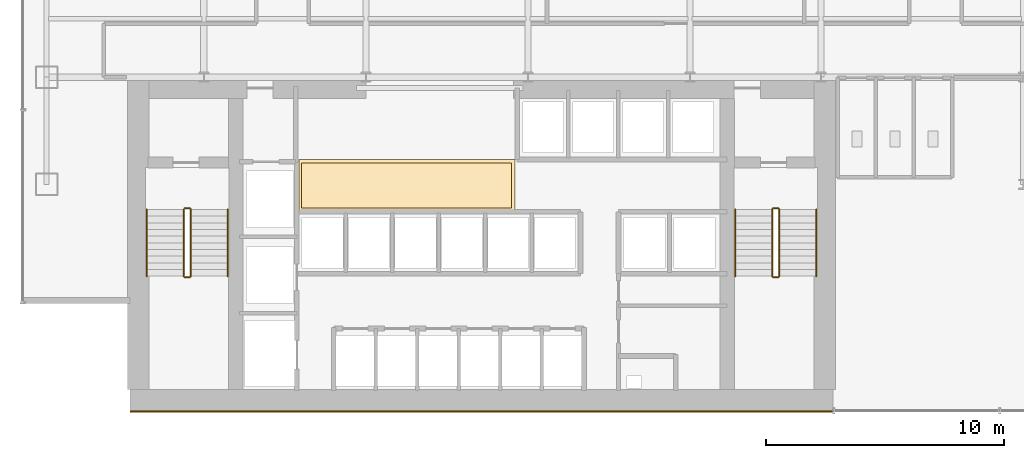
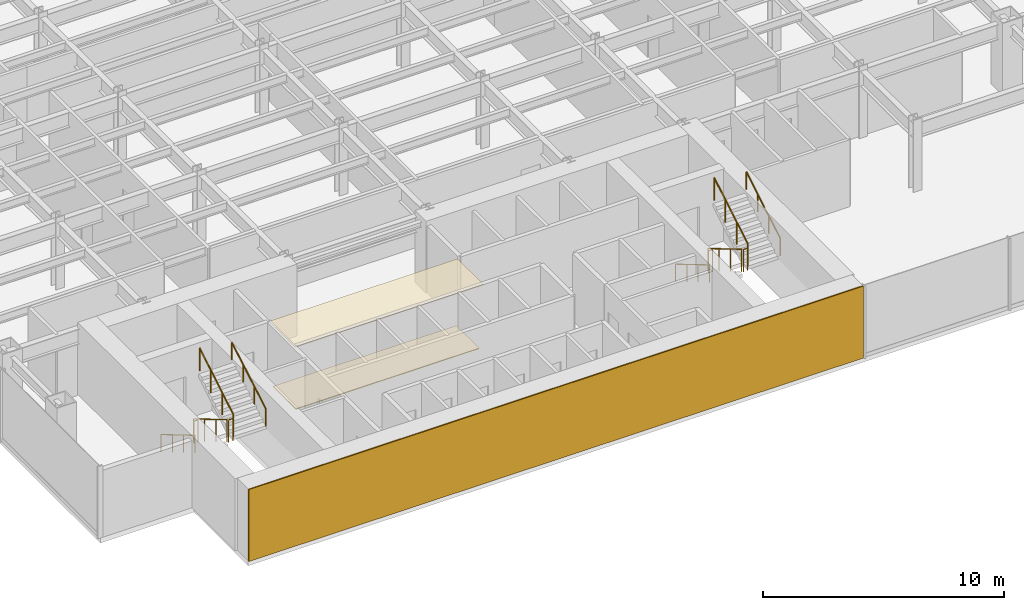
# One storey, part 20 of 22: 12 railings, 3 coverings.
"""IFC4 building model written with IfcOpenShell, lengths in metres."""

from ifc_helpers import new_model, si_unit, derived_unit, direction, frame, origin, origin_2d, place, context, subcontext, project, spatial, polyline, rectangle, circle, outline, extrude, source, transform, mapped, material, layer, layer_set, type_object, element, save


model = new_model("IFC4")

# Units and contexts
model_context = context("Model", 3, precision=1e-05, world=origin(), true_north=direction((0.0, 1.0)))
body_context = subcontext(model_context, "Body", "Model", "MODEL_VIEW")
ifc_project = project(units=[si_unit("LENGTHUNIT", "METRE"), si_unit("AREAUNIT", "SQUARE_METRE"), si_unit("VOLUMEUNIT", "CUBIC_METRE"), si_unit("PLANEANGLEUNIT", "RADIAN"), si_unit("MASSUNIT", "GRAM", prefix="KILO"), derived_unit("THERMALTRANSMITTANCEUNIT", [(si_unit("POWERUNIT", "WATT"), 1), (si_unit("LENGTHUNIT", "METRE"), -2), (si_unit("THERMODYNAMICTEMPERATUREUNIT", "KELVIN"), -1)])], contexts=[model_context])

# Site, building, storey
site_placement = place(None, origin())
site = spatial("IfcSite", under=ifc_project, at=site_placement, CompositionType="ELEMENT")
building_placement = place(site_placement, origin())
building = spatial("IfcBuilding", under=site, at=building_placement, Name="Skarnbrae Concourse Arena and Tower", CompositionType="ELEMENT")
storey_placement = place(building_placement, frame((0.0, 0.0, 72.64990234375)))
storey = spatial("IfcBuildingStorey", under=building, at=storey_placement, Name="L17", CompositionType="ELEMENT", Elevation=72.64990234375)

# Coverings
ifc_material_1 = material(Name="Mineral fibre acoustic ceiling tile", Category="other")
ifc_layer_1 = layer(ifc_material_1, 0.0400390625)
ifc_layer_set_1 = layer_set([ifc_layer_1], Name="Mineral fibre acoustic ceiling tile")
covering_type_1 = type_object("IfcCoveringType", Name="COV-CEIL-ACOUSTIC", PredefinedType="CEILING", material=ifc_layer_set_1)
covering_1_placement = place(storey_placement, frame((0.0, 0.0, 3.239990234375)))
element("IfcCovering", 1, at=covering_1_placement, inside=storey, type_object=covering_type_1, Name="L17 Lift lobby acoustic ceiling", PredefinedType="CEILING", context=body_context, shape_type="SweptSolid", body=[
    extrude(outline(polyline([(11.60009765625, 8.39990234375), (20.64990234375, 8.39990234375), (20.64990234375, 10.550048828125), (11.60009765625, 10.550048828125), (11.60009765625, 8.39990234375)])), origin(), (0.0, 0.0, 1.0), 0.0400390625),
])
ifc_material_2 = material(Name="Polished granite terrazzo flooring", Category="masonry")
ifc_layer_2 = layer(ifc_material_2, 0.0400390625)
ifc_layer_set_2 = layer_set([ifc_layer_2], Name="Polished granite terrazzo flooring")
covering_type_2 = type_object("IfcCoveringType", Name="COV-FLOOR-TERRAZZO", PredefinedType="FLOORING", material=ifc_layer_set_2)
covering_2_placement = place(storey_placement, origin())
element("IfcCovering", 2, at=covering_2_placement, inside=storey, type_object=covering_type_2, Name="L17 Lift lobby terrazzo flooring", PredefinedType="FLOORING", context=body_context, shape_type="SweptSolid", body=[
    extrude(outline(polyline([(11.699951171875, 8.5), (20.5, 8.5), (20.5, 10.39990234375), (11.699951171875, 10.39990234375), (11.699951171875, 8.5)])), origin(), (0.0, 0.0, 1.0), 0.0400390625),
])

# Railings
ifc_material_3 = material(Name="Steel CSA G40.21 350W", Category="steel")
railing_type_1 = type_object("IfcRailingType", Name="RAIL-HANDRAIL-900", PredefinedType="HANDRAIL", material=ifc_material_3)
railing_1_placement = place(storey_placement, frame((5.199951171875, 8.449951171875, 0.166015625)))
element("IfcRailing", 3, at=railing_1_placement, inside=storey, type_object=railing_type_1, Name="L17 ST-1 stair handrail 1", PredefinedType="HANDRAIL", context=body_context, shape_type="SweptSolid", body=[
    extrude(circle(Radius=0.02392578125, at=origin_2d()), frame((0.0, 0.0, 0.8759765625), z_axis=(0.0, -0.860306154799, 0.50977771628), x_axis=(1.0, 0.0, 0.0)), (0.0, 0.0, 1.0), 3.254638671875),
    extrude(circle(Radius=0.02099609375, at=origin_2d()), origin(), (0.0, 0.0, 1.0), 0.851806640625),
    extrude(circle(Radius=0.02099609375, at=origin_2d()), frame((0.0, -0.933349609375, 0.552978515625)), (0.0, 0.0, 1.0), 0.851806640625),
    extrude(circle(Radius=0.02099609375, at=origin_2d()), frame((0.0, -1.86669921875, 1.106201171875)), (0.0, 0.0, 1.0), 0.851806640625),
    extrude(circle(Radius=0.02099609375, at=origin_2d()), frame((0.0, -2.800048828125, 1.6591796875)), (0.0, 0.0, 1.0), 0.851806640625),
])
railing_2_placement = place(storey_placement, frame((8.60009765625, 5.64990234375, 1.990966796875)))
element("IfcRailing", 4, at=railing_2_placement, inside=storey, type_object=railing_type_1, Name="L17 ST-1 stair handrail 2", PredefinedType="HANDRAIL", context=body_context, shape_type="SweptSolid", body=[
    extrude(circle(Radius=0.02392578125, at=origin_2d()), frame((0.0, 0.0, 0.8759765625), z_axis=(0.0, 0.860306154799, 0.50977771628), x_axis=(-1.0, 0.0, 0.0)), (0.0, 0.0, 1.0), 3.254638671875),
    extrude(circle(Radius=0.02099609375, at=origin_2d()), origin(), (0.0, 0.0, 1.0), 0.851806640625),
    extrude(circle(Radius=0.02099609375, at=origin_2d()), frame((0.0, 0.933349609375, 0.552978515625)), (0.0, 0.0, 1.0), 0.851806640625),
    extrude(circle(Radius=0.02099609375, at=origin_2d()), frame((0.0, 1.86669921875, 1.106201171875)), (0.0, 0.0, 1.0), 0.851806640625),
    extrude(circle(Radius=0.02099609375, at=origin_2d()), frame((0.0, 2.800048828125, 1.6591796875)), (0.0, 0.0, 1.0), 0.851806640625),
])
railing_3_placement = place(storey_placement, frame((29.89990234375, 8.449951171875, 0.166015625)))
element("IfcRailing", 5, at=railing_3_placement, inside=storey, type_object=railing_type_1, Name="L17 ST-2 stair handrail 1", PredefinedType="HANDRAIL", context=body_context, shape_type="SweptSolid", body=[
    extrude(circle(Radius=0.02392578125, at=origin_2d()), frame((0.0, 0.0, 0.8759765625), z_axis=(0.0, -0.860306154799, 0.50977771628), x_axis=(1.0, 0.0, 0.0)), (0.0, 0.0, 1.0), 3.254638671875),
    extrude(circle(Radius=0.02099609375, at=origin_2d()), origin(), (0.0, 0.0, 1.0), 0.851806640625),
    extrude(circle(Radius=0.02099609375, at=origin_2d()), frame((0.0, -0.933349609375, 0.552978515625)), (0.0, 0.0, 1.0), 0.851806640625),
    extrude(circle(Radius=0.02099609375, at=origin_2d()), frame((0.0, -1.86669921875, 1.106201171875)), (0.0, 0.0, 1.0), 0.851806640625),
    extrude(circle(Radius=0.02099609375, at=origin_2d()), frame((0.0, -2.800048828125, 1.6591796875)), (0.0, 0.0, 1.0), 0.851806640625),
])
railing_4_placement = place(storey_placement, frame((33.300048828125, 5.64990234375, 1.990966796875)))
element("IfcRailing", 6, at=railing_4_placement, inside=storey, type_object=railing_type_1, Name="L17 ST-2 stair handrail 2", PredefinedType="HANDRAIL", context=body_context, shape_type="SweptSolid", body=[
    extrude(circle(Radius=0.02392578125, at=origin_2d()), frame((0.0, 0.0, 0.8759765625), z_axis=(0.0, 0.860306154799, 0.50977771628), x_axis=(-1.0, 0.0, 0.0)), (0.0, 0.0, 1.0), 3.254638671875),
    extrude(circle(Radius=0.02099609375, at=origin_2d()), origin(), (0.0, 0.0, 1.0), 0.851806640625),
    extrude(circle(Radius=0.02099609375, at=origin_2d()), frame((0.0, 0.933349609375, 0.552978515625)), (0.0, 0.0, 1.0), 0.851806640625),
    extrude(circle(Radius=0.02099609375, at=origin_2d()), frame((0.0, 1.86669921875, 1.106201171875)), (0.0, 0.0, 1.0), 0.851806640625),
    extrude(circle(Radius=0.02099609375, at=origin_2d()), frame((0.0, 2.800048828125, 1.6591796875)), (0.0, 0.0, 1.0), 0.851806640625),
])
railing_type_2 = type_object("IfcRailingType", Name="RAIL-STAIR-GUARD-1150", PredefinedType="GUARDRAIL", material=ifc_material_3)
railing_5_placement = place(storey_placement, frame((6.75, 8.449951171875, 0.166015625)))
element("IfcRailing", 7, at=railing_5_placement, inside=storey, type_object=railing_type_2, Name="L17 ST-1 stair guard 1", PredefinedType="GUARDRAIL", context=body_context, shape_type="SweptSolid", body=[
    extrude(circle(Radius=0.02392578125, at=origin_2d()), frame((0.0, 0.0, 1.1259765625), z_axis=(0.0, -0.860306154799, 0.50977771628), x_axis=(1.0, 0.0, 0.0)), (0.0, 0.0, 1.0), 3.254638671875),
    extrude(circle(Radius=0.02099609375, at=origin_2d()), origin(), (0.0, 0.0, 1.0), 1.101806640625),
    extrude(circle(Radius=0.02099609375, at=origin_2d()), frame((0.0, -0.933349609375, 0.552978515625)), (0.0, 0.0, 1.0), 1.101806640625),
    extrude(circle(Radius=0.02099609375, at=origin_2d()), frame((0.0, -1.86669921875, 1.106201171875)), (0.0, 0.0, 1.0), 1.101806640625),
    extrude(circle(Radius=0.02099609375, at=origin_2d()), frame((0.0, -2.800048828125, 1.6591796875)), (0.0, 0.0, 1.0), 1.101806640625),
])
railing_6_placement = place(storey_placement, frame((6.800048828125, 5.60009765625, 1.8251953125)))
element("IfcRailing", 8, at=railing_6_placement, inside=storey, type_object=railing_type_2, Name="L17 ST-1 stair guard 2", PredefinedType="GUARDRAIL", context=body_context, shape_type="SweptSolid", body=[
    extrude(circle(Radius=0.02392578125, at=origin_2d()), frame((0.0, 0.0, 1.1259765625), z_axis=(1.0, 0.0, 0.0), x_axis=(0.0, 1.0, 0.0)), (0.0, 0.0, 1.0), 0.199951171875),
    extrude(circle(Radius=0.02099609375, at=origin_2d()), origin(), (0.0, 0.0, 1.0), 1.101806640625),
    extrude(circle(Radius=0.02099609375, at=origin_2d()), frame((0.199951171875, 0.0, 0.0)), (0.0, 0.0, 1.0), 1.101806640625),
])
railing_7_placement = place(storey_placement, frame((7.050048828125, 5.64990234375, 1.990966796875)))
element("IfcRailing", 9, at=railing_7_placement, inside=storey, type_object=railing_type_2, Name="L17 ST-1 stair guard 3", PredefinedType="GUARDRAIL", context=body_context, shape_type="SweptSolid", body=[
    extrude(circle(Radius=0.02392578125, at=origin_2d()), frame((0.0, 0.0, 1.1259765625), z_axis=(0.0, 0.860306154799, 0.50977771628), x_axis=(-1.0, 0.0, 0.0)), (0.0, 0.0, 1.0), 3.254638671875),
    extrude(circle(Radius=0.02099609375, at=origin_2d()), origin(), (0.0, 0.0, 1.0), 1.101806640625),
    extrude(circle(Radius=0.02099609375, at=origin_2d()), frame((0.0, 0.933349609375, 0.552978515625)), (0.0, 0.0, 1.0), 1.101806640625),
    extrude(circle(Radius=0.02099609375, at=origin_2d()), frame((0.0, 1.86669921875, 1.106201171875)), (0.0, 0.0, 1.0), 1.101806640625),
    extrude(circle(Radius=0.02099609375, at=origin_2d()), frame((0.0, 2.800048828125, 1.6591796875)), (0.0, 0.0, 1.0), 1.101806640625),
])
railing_8_placement = place(storey_placement, frame((6.800048828125, 8.5, 0.0)))
element("IfcRailing", 10, at=railing_8_placement, inside=storey, type_object=railing_type_2, Name="L17 ST-1 stair guard 4", PredefinedType="GUARDRAIL", context=body_context, shape_type="SweptSolid", body=[
    extrude(circle(Radius=0.02392578125, at=origin_2d()), frame((0.0, 0.0, 1.1259765625), z_axis=(1.0, 0.0, 0.0), x_axis=(0.0, 1.0, 0.0)), (0.0, 0.0, 1.0), 0.199951171875),
    extrude(circle(Radius=0.02099609375, at=origin_2d()), origin(), (0.0, 0.0, 1.0), 1.101806640625),
    extrude(circle(Radius=0.02099609375, at=origin_2d()), frame((0.199951171875, 0.0, 0.0)), (0.0, 0.0, 1.0), 1.101806640625),
])
railing_9_placement = place(storey_placement, frame((31.449951171875, 8.449951171875, 0.166015625)))
element("IfcRailing", 11, at=railing_9_placement, inside=storey, type_object=railing_type_2, Name="L17 ST-2 stair guard 1", PredefinedType="GUARDRAIL", context=body_context, shape_type="SweptSolid", body=[
    extrude(circle(Radius=0.02392578125, at=origin_2d()), frame((0.0, 0.0, 1.1259765625), z_axis=(0.0, -0.860306154799, 0.50977771628), x_axis=(1.0, 0.0, 0.0)), (0.0, 0.0, 1.0), 3.254638671875),
    extrude(circle(Radius=0.02099609375, at=origin_2d()), origin(), (0.0, 0.0, 1.0), 1.101806640625),
    extrude(circle(Radius=0.02099609375, at=origin_2d()), frame((0.0, -0.933349609375, 0.552978515625)), (0.0, 0.0, 1.0), 1.101806640625),
    extrude(circle(Radius=0.02099609375, at=origin_2d()), frame((0.0, -1.86669921875, 1.106201171875)), (0.0, 0.0, 1.0), 1.101806640625),
    extrude(circle(Radius=0.02099609375, at=origin_2d()), frame((0.0, -2.800048828125, 1.6591796875)), (0.0, 0.0, 1.0), 1.101806640625),
])
railing_10_placement = place(storey_placement, frame((31.5, 5.60009765625, 1.8251953125)))
element("IfcRailing", 12, at=railing_10_placement, inside=storey, type_object=railing_type_2, Name="L17 ST-2 stair guard 2", PredefinedType="GUARDRAIL", context=body_context, shape_type="SweptSolid", body=[
    extrude(circle(Radius=0.02392578125, at=origin_2d()), frame((0.0, 0.0, 1.1259765625), z_axis=(1.0, 0.0, 0.0), x_axis=(0.0, 1.0, 0.0)), (0.0, 0.0, 1.0), 0.199951171875),
    extrude(circle(Radius=0.02099609375, at=origin_2d()), origin(), (0.0, 0.0, 1.0), 1.101806640625),
    extrude(circle(Radius=0.02099609375, at=origin_2d()), frame((0.199951171875, 0.0, 0.0)), (0.0, 0.0, 1.0), 1.101806640625),
])
railing_11_placement = place(storey_placement, frame((31.75, 5.64990234375, 1.990966796875)))
element("IfcRailing", 13, at=railing_11_placement, inside=storey, type_object=railing_type_2, Name="L17 ST-2 stair guard 3", PredefinedType="GUARDRAIL", context=body_context, shape_type="SweptSolid", body=[
    extrude(circle(Radius=0.02392578125, at=origin_2d()), frame((0.0, 0.0, 1.1259765625), z_axis=(0.0, 0.860306154799, 0.50977771628), x_axis=(-1.0, 0.0, 0.0)), (0.0, 0.0, 1.0), 3.254638671875),
    extrude(circle(Radius=0.02099609375, at=origin_2d()), origin(), (0.0, 0.0, 1.0), 1.101806640625),
    extrude(circle(Radius=0.02099609375, at=origin_2d()), frame((0.0, 0.933349609375, 0.552978515625)), (0.0, 0.0, 1.0), 1.101806640625),
    extrude(circle(Radius=0.02099609375, at=origin_2d()), frame((0.0, 1.86669921875, 1.106201171875)), (0.0, 0.0, 1.0), 1.101806640625),
    extrude(circle(Radius=0.02099609375, at=origin_2d()), frame((0.0, 2.800048828125, 1.6591796875)), (0.0, 0.0, 1.0), 1.101806640625),
])
railing_12_placement = place(storey_placement, frame((31.5, 8.5, 0.0)))
element("IfcRailing", 14, at=railing_12_placement, inside=storey, type_object=railing_type_2, Name="L17 ST-2 stair guard 4", PredefinedType="GUARDRAIL", context=body_context, shape_type="SweptSolid", body=[
    extrude(circle(Radius=0.02392578125, at=origin_2d()), frame((0.0, 0.0, 1.1259765625), z_axis=(1.0, 0.0, 0.0), x_axis=(0.0, 1.0, 0.0)), (0.0, 0.0, 1.0), 0.199951171875),
    extrude(circle(Radius=0.02099609375, at=origin_2d()), origin(), (0.0, 0.0, 1.0), 1.101806640625),
    extrude(circle(Radius=0.02099609375, at=origin_2d()), frame((0.199951171875, 0.0, 0.0)), (0.0, 0.0, 1.0), 1.101806640625),
])

# Covering
ifc_material_4 = material(Name="Bronze anodised aluminium 6063-T6", Category="aluminium")
ifc_layer_3 = layer(ifc_material_4, 0.06005859375)
ifc_layer_set_3 = layer_set([ifc_layer_3], Name="Bronze anodised aluminium 6063-T6")
covering_type_3 = type_object("IfcCoveringType", Name="COV-CLAD-BRONZE-60", PredefinedType="CLADDING", material=ifc_layer_set_3)
shared_shape = source(origin(), body_context, "Body", "SweptSolid", [
    extrude(rectangle(XDim=29.5, YDim=0.06005859375, at=origin_2d()), origin(), (0.0, 0.0, 1.0), 3.64990234375),
])
covering_3_placement = place(storey_placement, frame((19.25, -0.030029296875, 0.000244140625), z_axis=(0.0, 0.0, 1.0), x_axis=(1.0, 0.0, 0.0)))
element("IfcCovering", 15, at=covering_3_placement, inside=storey, type_object=covering_type_3, Name="L17 Rear-core plumb spine bronze rainscreen panel", PredefinedType="CLADDING", context=body_context, shape_type="MappedRepresentation", body=[
    mapped(shared_shape, transform((0.0, 0.0, 0.0))),
])

save(model, "model.ifc")
